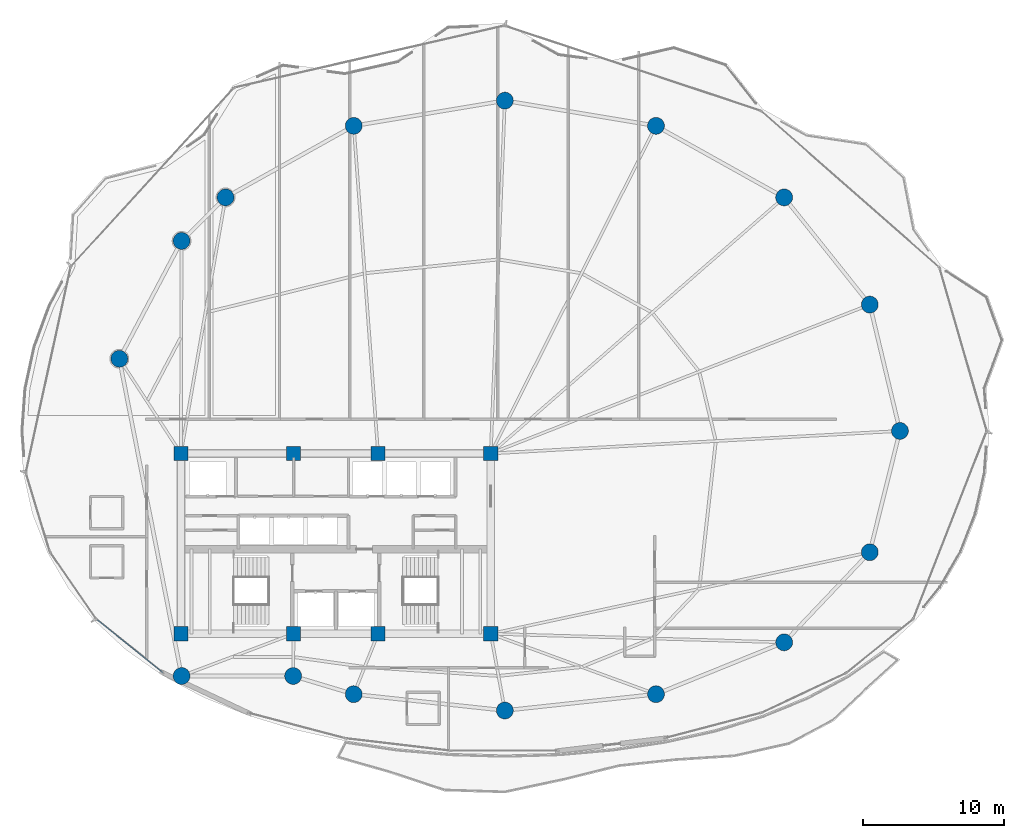
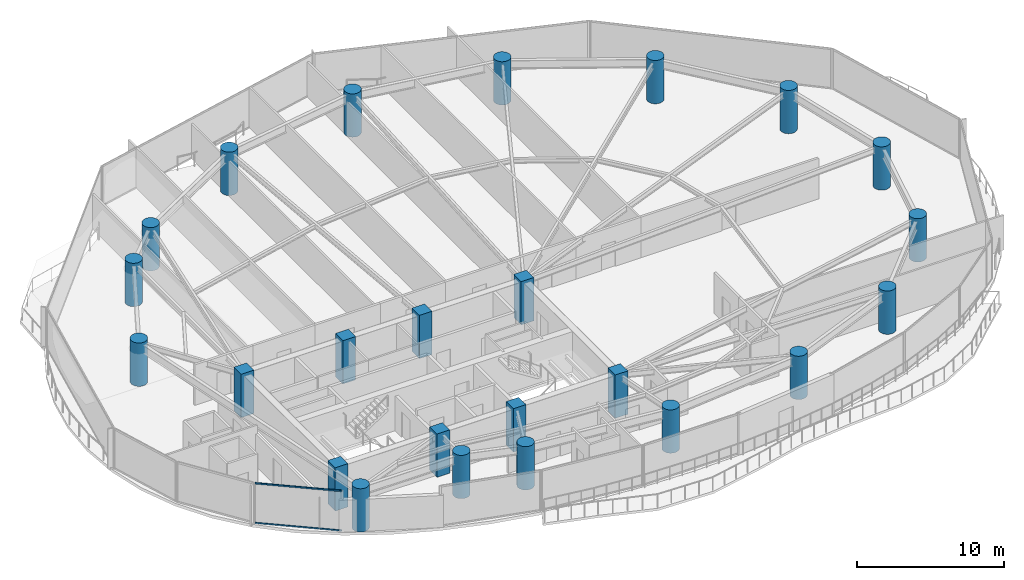
# One storey, part 1 of 34: 24 columns, 2 members, 1 element without a shape of its own.
"""IFC4 building model written with IfcOpenShell, lengths in metres."""

from ifc_helpers import new_model, si_unit, direction, frame, origin, origin_2d, place, context, subcontext, project, spatial, rectangle, hollow_rectangle, circle, extrude, material, layer, layer_set, material_profile, profile_set, type_object, element, aggregate, save


model = new_model("IFC4")

# Units and contexts
model_context = context("Model", 3, precision=1e-05, world=origin(), true_north=direction((0.0, 1.0)))
body_context = subcontext(model_context, "Body", "Model", "MODEL_VIEW")
ifc_project = project(units=[si_unit("LENGTHUNIT", "METRE"), si_unit("AREAUNIT", "SQUARE_METRE"), si_unit("VOLUMEUNIT", "CUBIC_METRE"), si_unit("PLANEANGLEUNIT", "RADIAN"), si_unit("MASSUNIT", "GRAM", prefix="KILO")], contexts=[model_context])

# Site, building, storey
site_placement = place(None, origin())
site = spatial("IfcSite", under=ifc_project, at=site_placement, CompositionType="ELEMENT")
building_placement = place(site_placement, origin())
building = spatial("IfcBuilding", under=site, at=building_placement, Name="Kazevale Care Tower and Concert Hall", CompositionType="ELEMENT")
storey_placement = place(building_placement, frame((0.0, 0.0, 156.60009765625)))
storey = spatial("IfcBuildingStorey", under=building, at=storey_placement, Name="L41", CompositionType="ELEMENT", Elevation=156.60009765625)

# Columns
ifc_material_1 = material(Name="Concrete C60", Category="concrete")
ifc_material_profile_1 = material_profile(ifc_material_1, rectangle(XDim=1.0, YDim=1.0, at=origin_2d()), Name="RC-SQ1000")
ifc_profile_set_1 = profile_set([ifc_material_profile_1], Name="Concrete C60")
column_type_1 = type_object("IfcColumnType", Name="Core Column SQ1000 C60", PredefinedType="COLUMN", material=ifc_profile_set_1)
for number, where, z_axis, x_axis, name in (
    (1, (22.0, 23.60009765625, 0.0), (0.0, 0.0, 1.0), (1.0, 0.0, 0.0), "col:L41:CC-01"),
    (2, (30.0, 23.60009765625, 0.0), (0.0, 0.0, 1.0), (1.0, 0.0, 0.0), "col:L41:CC-02"),
    (3, (36.0, 23.60009765625, 0.0), (0.0, 0.0, 1.0), (1.0, 0.0, 0.0), "col:L41:CC-03"),
    (4, (44.0, 23.60009765625, 0.0), (0.0, 0.0, 1.0), (1.0, 0.0, 0.0), "col:L41:CC-04"),
    (5, (44.0, 36.39990234375, 0.0), (0.0, 0.0, 1.0), (1.0, 0.0, 0.0), "col:L41:CC-05"),
    (6, (36.0, 36.39990234375, 0.0), (0.0, 0.0, 1.0), (1.0, 0.0, 0.0), "col:L41:CC-06"),
    (7, (30.0, 36.39990234375, 0.0), (0.0, 0.0, 1.0), (1.0, 0.0, 0.0), "col:L41:CC-07"),
    (8, (22.0, 36.39990234375, 0.0), (0.0, 0.0, 1.0), (1.0, 0.0, 0.0), "col:L41:CC-08"),
):
    element("IfcColumn", number, at=place(storey_placement, frame(where, z_axis=z_axis, x_axis=x_axis)), inside=storey, type_object=column_type_1, Name=name, PredefinedType="COLUMN", context=body_context, shape_type="SweptSolid", body=[
        extrude(rectangle(XDim=1.0, YDim=1.0, at=origin_2d()), origin(), (0.0, 0.0, 1.0), 3.599853515625),
    ])
ifc_material_profile_2 = material_profile(ifc_material_1, circle(Radius=0.60009765625, at=origin_2d()), Name="RC-CIR1200")
ifc_profile_set_2 = profile_set([ifc_material_profile_2], Name="Concrete C60")
column_type_2 = type_object("IfcColumnType", Name="Perimeter Column CIR1200 C60", PredefinedType="COLUMN", material=ifc_profile_set_2)
for number, where, z_axis, x_axis, name in (
    (9, (73.050048828125, 38.0, 0.0), (0.0, 0.0, 1.0), (1.0, 0.0, 0.0), "col:L41:PC-01"),
    (10, (70.909912109375, 46.969970703125, 0.0), (0.0, 0.0, 1.0), (1.0, 0.0, 0.0), "col:L41:PC-02"),
    (11, (64.830078125, 54.580078125, 0.0), (0.0, 0.0, 1.0), (1.0, 0.0, 0.0), "col:L41:PC-03"),
    (12, (55.72998046875, 59.659912109375, 0.0), (0.0, 0.0, 1.0), (1.0, 0.0, 0.0), "col:L41:PC-04"),
    (13, (45.0, 61.449951171875, 0.0), (0.0, 0.0, 1.0), (1.0, 0.0, 0.0), "col:L41:PC-05"),
    (14, (34.27001953125, 59.659912109375, 0.0), (0.0, 0.0, 1.0), (1.0, 0.0, 0.0), "col:L41:PC-06"),
    (15, (25.169921875, 54.580078125, 0.0), (0.0, 0.0, 1.0), (1.0, 0.0, 0.0), "col:L41:PC-07"),
    (16, (22.050048828125, 51.489990234375, 0.0), (0.0, 0.0, 1.0), (1.0, 0.0, 0.0), "col:L41:PC-08"),
    (17, (17.6298828125, 43.1201171875, 0.0), (0.0, 0.0, 1.0), (1.0, 0.0, 0.0), "col:L41:PC-09"),
    (18, (22.050048828125, 20.60009765625, 0.0), (0.0, 0.0, 1.0), (1.0, 0.0, 0.0), "col:L41:PC-10"),
    (19, (29.969970703125, 20.60009765625, 0.0), (0.0, 0.0, 1.0), (1.0, 0.0, 0.0), "col:L41:PC-11"),
    (20, (34.27001953125, 19.31005859375, 0.0), (0.0, 0.0, 1.0), (1.0, 0.0, 0.0), "col:L41:PC-12"),
    (21, (45.0, 18.14990234375, 0.0), (0.0, 0.0, 1.0), (1.0, 0.0, 0.0), "col:L41:PC-13"),
    (22, (55.72998046875, 19.31005859375, 0.0), (0.0, 0.0, 1.0), (1.0, 0.0, 0.0), "col:L41:PC-14"),
    (23, (64.830078125, 22.989990234375, 0.0), (0.0, 0.0, 1.0), (1.0, 0.0, 0.0), "col:L41:PC-15"),
    (24, (70.909912109375, 29.389892578125, 0.0), (0.0, 0.0, 1.0), (1.0, 0.0, 0.0), "col:L41:PC-16"),
):
    element("IfcColumn", number, at=place(storey_placement, frame(where, z_axis=z_axis, x_axis=x_axis)), inside=storey, type_object=column_type_2, Name=name, PredefinedType="COLUMN", context=body_context, shape_type="SweptSolid", body=[
        extrude(circle(Radius=0.60009765625, at=origin_2d()), origin(), (0.0, 0.0, 1.0), 3.599853515625),
    ])

# Curtain wall, members
ifc_material_2 = material(Name="Aluminium 6063-T6 and Low-E Glass", Category="aluminium")
ifc_layer = layer(ifc_material_2, 0.179931640625)
ifc_layer_set = layer_set([ifc_layer], Name="Aluminium 6063-T6 and Low-E Glass")
curtain_wall_type = type_object("IfcCurtainWallType", Name="Sheltered Concave Balcony Curtain Wall CW-5", PredefinedType="NOTDEFINED", material=ifc_layer_set)
curtain_wall_placement = place(storey_placement, origin())
curtain_wall = element("IfcCurtainWall", 25, at=curtain_wall_placement, inside=storey, type_object=curtain_wall_type, Name="cw:L41:f10", PredefinedType="NOTDEFINED")
ifc_material_3 = material(Name="Aluminium 6063-T6", Category="aluminium")
ifc_material_profile_3 = material_profile(ifc_material_3, hollow_rectangle(XDim=0.074951171875, YDim=0.1201171875, WallThickness=0.00390625, at=origin_2d()), Name="ALU75x120x4")
ifc_profile_set_3 = profile_set([ifc_material_profile_3], Name="Aluminium 6063-T6")
member_type = type_object("IfcMemberType", Name="CW-5 Transom ALU75x120x4", PredefinedType="USERDEFINED", material=ifc_profile_set_3)
member_1_placement = place(storey_placement, frame((20.711669921875, 20.85009765625, 0.037353515625), z_axis=(-0.779097461373, 0.626902819966, 0.0), x_axis=(-0.626902819966, -0.779097461373, 0.0)))
member_1 = element("IfcMember", 26, at=member_1_placement, type_object=member_type, Name="CW-5 transom 1.1", ObjectType="TRANSOM", PredefinedType="USERDEFINED", context=body_context, shape_type="SweptSolid", body=[
    extrude(hollow_rectangle(XDim=0.074951171875, YDim=0.1201171875, WallThickness=0.00390625, at=origin_2d()), origin(), (0.0, 0.0, 1.0), 5.96728515625),
])
member_2_placement = place(storey_placement, frame((20.711669921875, 20.85009765625, 3.322509765625), z_axis=(-0.779097461373, 0.626902819966, 0.0), x_axis=(-0.626902819966, -0.779097461373, 0.0)))
member_2 = element("IfcMember", 27, at=member_2_placement, type_object=member_type, Name="CW-5 transom 1.2", ObjectType="TRANSOM", PredefinedType="USERDEFINED", context=body_context, shape_type="SweptSolid", body=[
    extrude(hollow_rectangle(XDim=0.074951171875, YDim=0.1201171875, WallThickness=0.00390625, at=origin_2d()), origin(), (0.0, 0.0, 1.0), 5.96728515625),
])
aggregate(curtain_wall, [member_1, member_2])

save(model, "model.ifc")
